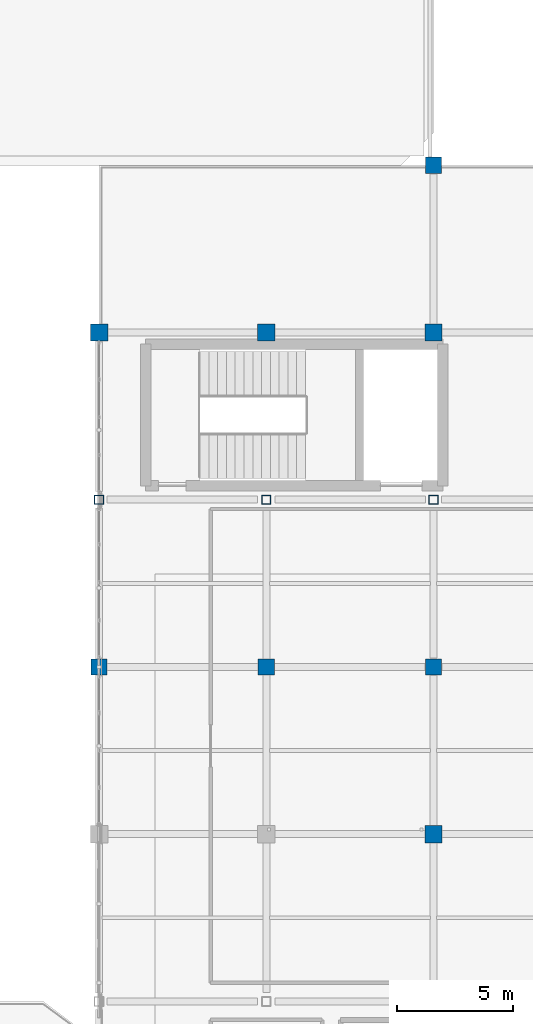
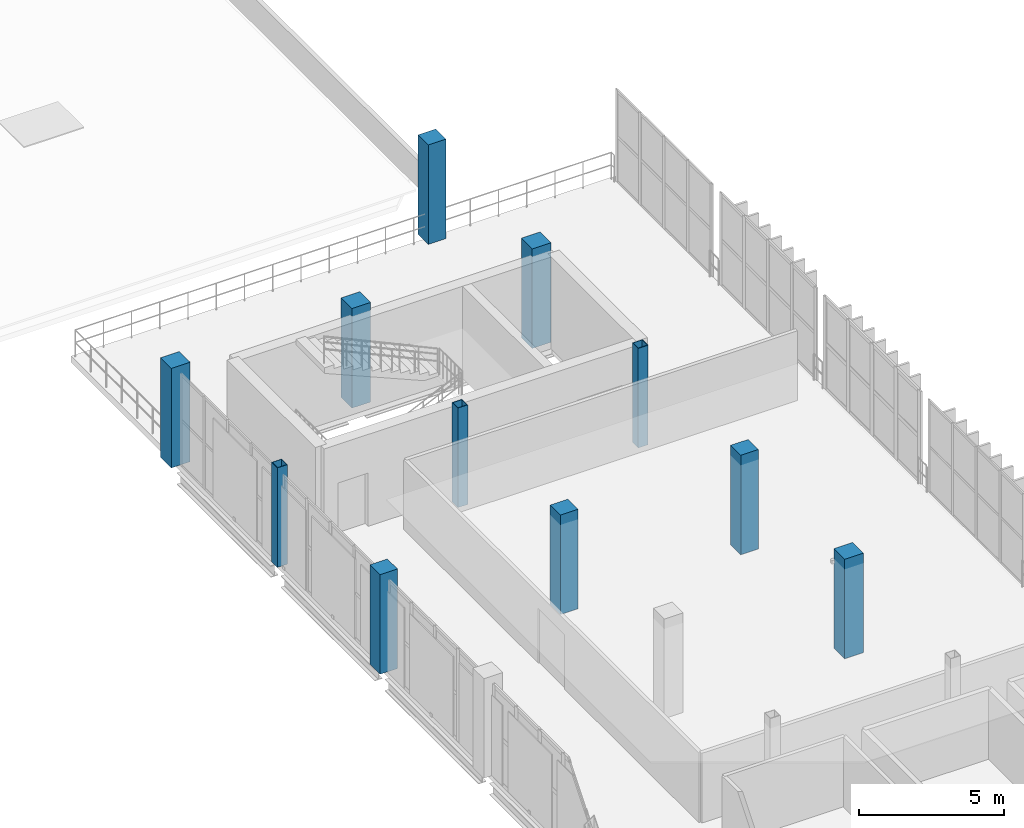
# One storey, part 16 of 130: 11 columns.
"""IFC4 building model written with IfcOpenShell, lengths in metres."""

from ifc_helpers import new_model, si_unit, direction, frame, origin, origin_2d, place, context, subcontext, project, spatial, rectangle, hollow_rectangle, extrude, material, material_profile, profile_set, type_object, element, save


model = new_model("IFC4")

# Units and contexts
model_context = context("Model", 3, precision=1e-05, world=origin(), true_north=direction((0.0, 1.0)))
body_context = subcontext(model_context, "Body", "Model", "MODEL_VIEW")
ifc_project = project(units=[si_unit("LENGTHUNIT", "METRE"), si_unit("AREAUNIT", "SQUARE_METRE"), si_unit("VOLUMEUNIT", "CUBIC_METRE"), si_unit("PLANEANGLEUNIT", "RADIAN"), si_unit("MASSUNIT", "GRAM", prefix="KILO")], contexts=[model_context])

# Site, building, storey
site_placement = place(None, origin())
site = spatial("IfcSite", under=ifc_project, at=site_placement, CompositionType="ELEMENT")
building_placement = place(site_placement, origin())
building = spatial("IfcBuilding", under=site, at=building_placement, Name="Qandorah Velis Arena", CompositionType="ELEMENT")
storey_placement = place(building_placement, frame((0.0, 0.0, 9.60009765625)))
storey = spatial("IfcBuildingStorey", under=building, at=storey_placement, Name="L02", CompositionType="ELEMENT", Elevation=9.60009765625)

# Columns
ifc_material_1 = material(Name="Concrete C40/50", Category="concrete")
ifc_material_profile_1 = material_profile(ifc_material_1, rectangle(XDim=0.699951171875, YDim=0.699951171875, at=origin_2d()), Name="RC COL 700x700")
ifc_profile_set_1 = profile_set([ifc_material_profile_1], Name="Concrete C40/50")
column_type_1 = type_object("IfcColumnType", Name="STR-COL-RC700", PredefinedType="COLUMN", material=ifc_profile_set_1)
for number, where, z_axis, x_axis, name in (
    (1, (151.199951171875, 72.0, 0.0), (0.0, 0.0, 1.0), (1.0, 0.0, 0.0), "Structural column L02-205"),
    (2, (158.39990234375, 72.0, 0.0), (0.0, 0.0, 1.0), (1.0, 0.0, 0.0), "Structural column L02-211"),
    (3, (165.60009765625, 72.0, 0.0), (0.0, 0.0, 1.0), (1.0, 0.0, 0.0), "Structural column L02-217"),
    (4, (165.60009765625, 93.60009765625, 0.0), (0.0, 0.0, 1.0), (1.0, 0.0, 0.0), "Structural column L02-220"),
):
    element("IfcColumn", number, at=place(storey_placement, frame(where, z_axis=z_axis, x_axis=x_axis)), inside=storey, type_object=column_type_1, Name=name, PredefinedType="COLUMN", context=body_context, shape_type="SweptSolid", body=[
        extrude(rectangle(XDim=0.699951171875, YDim=0.699951171875, at=origin_2d()), origin(), (0.0, 0.0, 1.0), 4.199951171875),
    ])
ifc_material_profile_2 = material_profile(ifc_material_1, rectangle(XDim=0.75, YDim=0.75, at=origin_2d()), Name="RC COL 750x750")
ifc_profile_set_2 = profile_set([ifc_material_profile_2], Name="Concrete C40/50")
column_type_2 = type_object("IfcColumnType", Name="STR-COL-RC750", PredefinedType="COLUMN", material=ifc_profile_set_2)
for number, where, z_axis, x_axis, name in (
    (5, (151.199951171875, 86.39990234375, 0.0), (0.0, 0.0, 1.0), (1.0, 0.0, 0.0), "Structural column L02-207"),
    (6, (158.39990234375, 86.39990234375, 0.0), (0.0, 0.0, 1.0), (1.0, 0.0, 0.0), "Structural column L02-213"),
    (7, (165.60009765625, 64.800048828125, 0.0), (0.0, 0.0, 1.0), (1.0, 0.0, 0.0), "Structural column L02-216"),
    (8, (165.60009765625, 86.39990234375, 0.0), (0.0, 0.0, 1.0), (1.0, 0.0, 0.0), "Structural column L02-219"),
):
    element("IfcColumn", number, at=place(storey_placement, frame(where, z_axis=z_axis, x_axis=x_axis)), inside=storey, type_object=column_type_2, Name=name, PredefinedType="COLUMN", context=body_context, shape_type="SweptSolid", body=[
        extrude(rectangle(XDim=0.75, YDim=0.75, at=origin_2d()), origin(), (0.0, 0.0, 1.0), 4.199951171875),
    ])
ifc_material_2 = material(Name="Steel S355", Category="steel")
ifc_material_profile_3 = material_profile(ifc_material_2, hollow_rectangle(XDim=0.39990234375, YDim=0.39990234375, WallThickness=0.02001953125, at=origin_2d()), Name="SHS 400x400x20")
ifc_profile_set_3 = profile_set([ifc_material_profile_3], Name="Steel S355")
column_type_3 = type_object("IfcColumnType", Name="STR-COL-SHS400", PredefinedType="COLUMN", material=ifc_profile_set_3)
for number, where, z_axis, x_axis, name in (
    (9, (151.199951171875, 79.199951171875, 0.0), (0.0, 0.0, 1.0), (1.0, 0.0, 0.0), "Structural column L02-206"),
    (10, (158.39990234375, 79.199951171875, 0.0), (0.0, 0.0, 1.0), (1.0, 0.0, 0.0), "Structural column L02-212"),
    (11, (165.60009765625, 79.199951171875, 0.0), (0.0, 0.0, 1.0), (1.0, 0.0, 0.0), "Structural column L02-218"),
):
    element("IfcColumn", number, at=place(storey_placement, frame(where, z_axis=z_axis, x_axis=x_axis)), inside=storey, type_object=column_type_3, Name=name, PredefinedType="COLUMN", context=body_context, shape_type="SweptSolid", body=[
        extrude(hollow_rectangle(XDim=0.39990234375, YDim=0.39990234375, WallThickness=0.02001953125, at=origin_2d()), origin(), (0.0, 0.0, 1.0), 4.199951171875),
    ])

save(model, "model.ifc")
